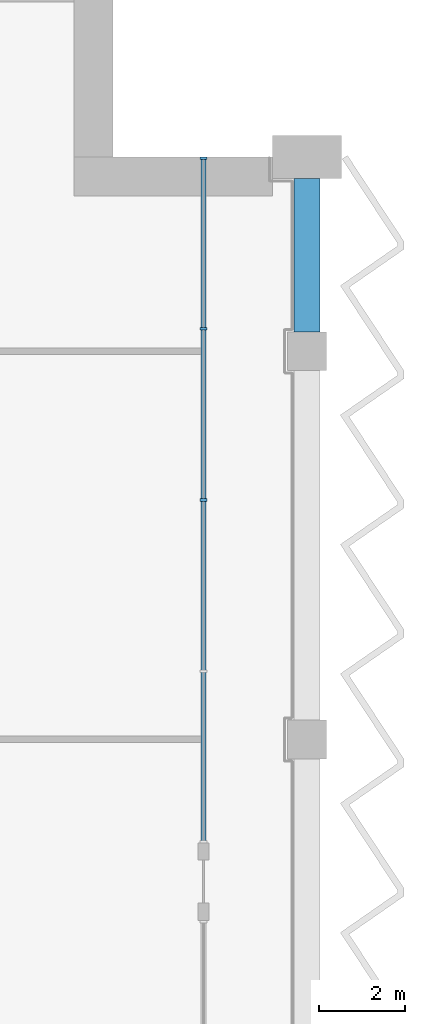
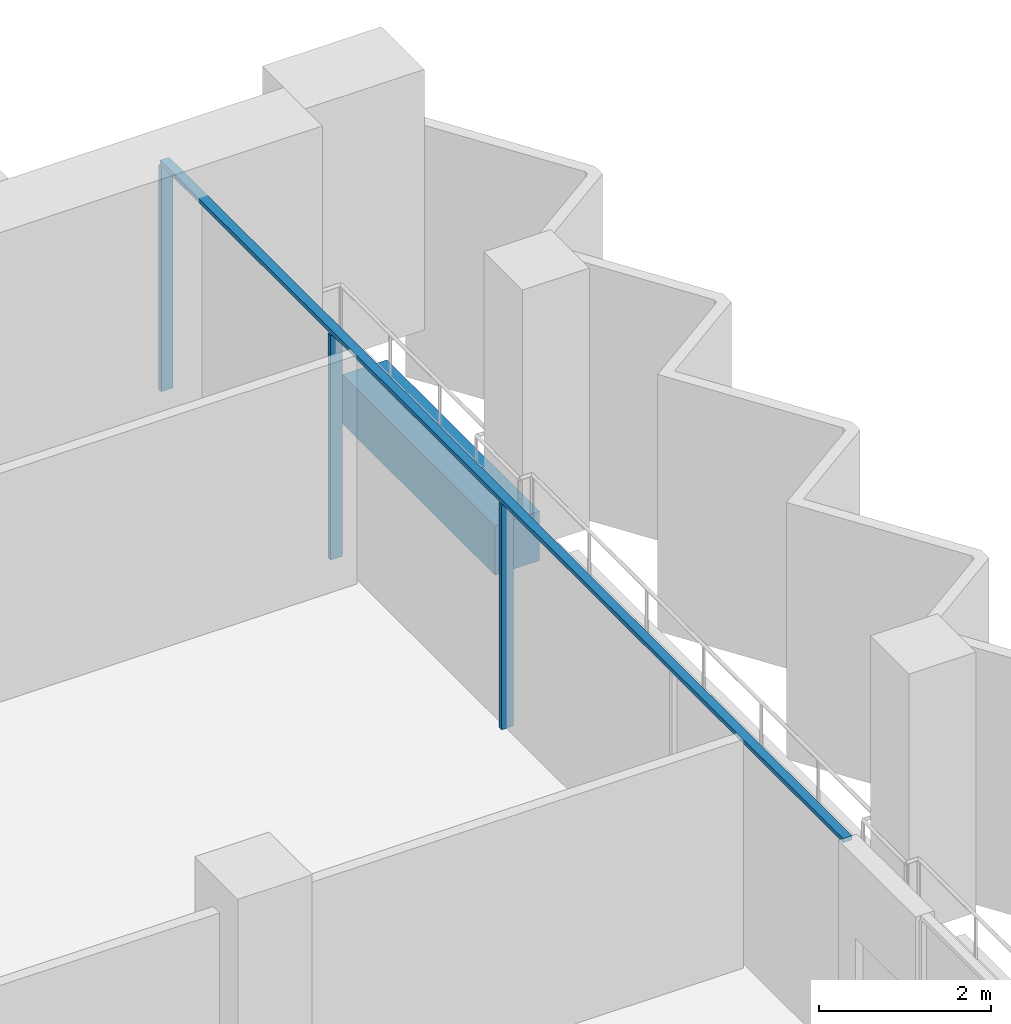
# One storey, part 6 of 17: 4 members, 1 beam, 1 element without a shape of its own.
"""IFC4 building model written with IfcOpenShell, lengths in metres."""

from ifc_helpers import new_model, si_unit, direction, frame, origin, origin_2d, place, context, subcontext, project, spatial, rectangle, extrude, material, material_profile, profile_set, type_object, element, aggregate, save


model = new_model("IFC4")

# Units and contexts
model_context = context("Model", 3, precision=1e-05, world=origin(), true_north=direction((0.0, 1.0)))
body_context = subcontext(model_context, "Body", "Model", "MODEL_VIEW")
ifc_project = project(units=[si_unit("LENGTHUNIT", "METRE"), si_unit("AREAUNIT", "SQUARE_METRE"), si_unit("VOLUMEUNIT", "CUBIC_METRE"), si_unit("PLANEANGLEUNIT", "RADIAN"), si_unit("MASSUNIT", "GRAM", prefix="KILO")], contexts=[model_context])

# Site, building, storey
site_placement = place(None, origin())
site = spatial("IfcSite", under=ifc_project, at=site_placement, CompositionType="ELEMENT")
building_placement = place(site_placement, origin())
building = spatial("IfcBuilding", under=site, at=building_placement, Name="Hunhe Ridgeline Campus", CompositionType="ELEMENT")
storey_placement = place(building_placement, frame((0.0, 0.0, 272.5)))
storey = spatial("IfcBuildingStorey", under=building, at=storey_placement, Name="L70", CompositionType="ELEMENT", Elevation=272.5)

# Curtain wall, members
ifc_material_1 = material(Name="Aluminium 6063", Category="aluminium")
curtain_wall_type = type_object("IfcCurtainWallType", Name="Curtain wall CW-1", PredefinedType="NOTDEFINED", material=ifc_material_1)
curtain_wall_placement = place(storey_placement, origin())
curtain_wall = element("IfcCurtainWall", 1, at=curtain_wall_placement, inside=storey, type_object=curtain_wall_type, Name="Curtain wall 13", PredefinedType="NOTDEFINED")
ifc_material_profile_1 = material_profile(ifc_material_1, rectangle(XDim=0.159912109375, YDim=0.06005859375, at=origin_2d()))
ifc_profile_set_1 = profile_set([ifc_material_profile_1], Name="Aluminium 6063")
member_type_1 = type_object("IfcMemberType", Name="CW-1 aluminium mullion", PredefinedType="MULLION", material=ifc_profile_set_1)
member_1_placement = place(storey_placement, frame((51.59912109375, 86.55029296875, 0.0), z_axis=(0.0, 0.0, 1.0), x_axis=(-1.0, 0.0, 0.0)))
member_1 = element("IfcMember", 2, at=member_1_placement, type_object=member_type_1, Name="CW-1 mullion 3", PredefinedType="MULLION", context=body_context, shape_type="SweptSolid", body=[
    extrude(rectangle(XDim=0.159912109375, YDim=0.06005859375, at=origin_2d()), origin(), (0.0, 0.0, 1.0), 3.18994140625),
])
member_2_placement = place(storey_placement, frame((51.59912109375, 90.525146484375, 0.0), z_axis=(0.0, 0.0, 1.0), x_axis=(-1.0, 0.0, 0.0)))
member_2 = element("IfcMember", 3, at=member_2_placement, type_object=member_type_1, Name="CW-1 mullion 4", PredefinedType="MULLION", context=body_context, shape_type="SweptSolid", body=[
    extrude(rectangle(XDim=0.159912109375, YDim=0.06005859375, at=origin_2d()), origin(), (0.0, 0.0, 1.0), 3.18994140625),
])
member_3_placement = place(storey_placement, frame((51.59912109375, 94.469970703125, 0.0), z_axis=(0.0, 0.0, 1.0), x_axis=(-1.0, 0.0, 0.0)))
member_3 = element("IfcMember", 4, at=member_3_placement, type_object=member_type_1, Name="CW-1 mullion 5", PredefinedType="MULLION", context=body_context, shape_type="SweptSolid", body=[
    extrude(rectangle(XDim=0.159912109375, YDim=0.06005859375, at=origin_2d()), origin(), (0.0, 0.0, 1.0), 3.18994140625),
])
ifc_material_profile_2 = material_profile(ifc_material_1, rectangle(XDim=0.1201171875, YDim=0.06005859375, at=origin_2d()))
ifc_profile_set_2 = profile_set([ifc_material_profile_2], Name="Aluminium 6063")
member_type_2 = type_object("IfcMemberType", Name="CW-1 aluminium transom", PredefinedType="USERDEFINED", material=ifc_profile_set_2)
member_4_placement = place(storey_placement, frame((51.59912109375, 78.6005859375, 3.219970703125), z_axis=(0.0, 1.0, 0.0), x_axis=(-1.0, 0.0, 0.0)))
member_4 = element("IfcMember", 5, at=member_4_placement, type_object=member_type_2, Name="CW-1 transom 1", ObjectType="TRANSOM", PredefinedType="USERDEFINED", context=body_context, shape_type="SweptSolid", body=[
    extrude(rectangle(XDim=0.1201171875, YDim=0.06005859375, at=origin_2d()), origin(), (0.0, 0.0, 1.0), 15.8994140625),
])
aggregate(curtain_wall, [member_4, member_1, member_2, member_3])

# Beam
ifc_material_2 = material(Name="Concrete C50", Category="concrete")
ifc_material_profile_3 = material_profile(ifc_material_2, rectangle(XDim=0.60009765625, YDim=0.699951171875, at=origin_2d()))
ifc_profile_set_3 = profile_set([ifc_material_profile_3], Name="Concrete C50")
beam_type = type_object("IfcBeamType", Name="RC spandrel beam 600x700 Concrete C50", PredefinedType="SPANDREL", material=ifc_profile_set_3)
beam_placement = place(storey_placement, frame((54.0, 90.449951171875, -0.60009765625), z_axis=(0.0, 1.0, 0.0), x_axis=(-1.0, 0.0, 0.0)))
element("IfcBeam", 6, at=beam_placement, inside=storey, type_object=beam_type, Name="Spandrel beam B4-17 L70", PredefinedType="SPANDREL", context=body_context, shape_type="SweptSolid", body=[
    extrude(rectangle(XDim=0.60009765625, YDim=0.699951171875, at=origin_2d()), origin(), (0.0, 0.0, 1.0), 3.550048828125),
])

save(model, "model.ifc")
